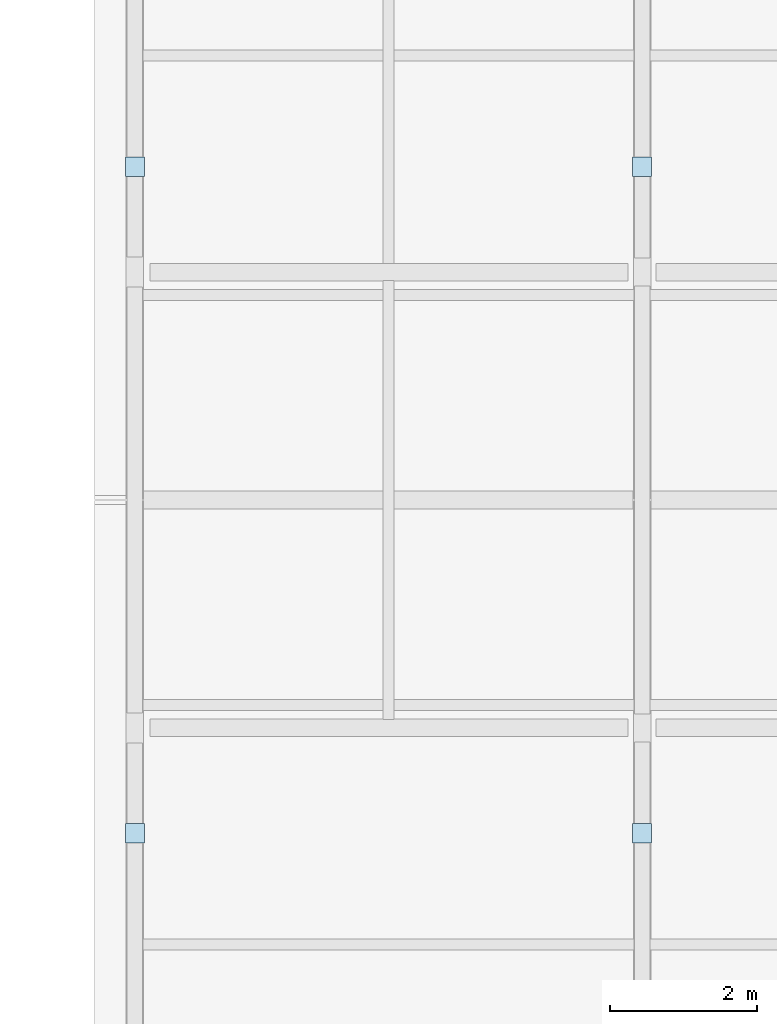
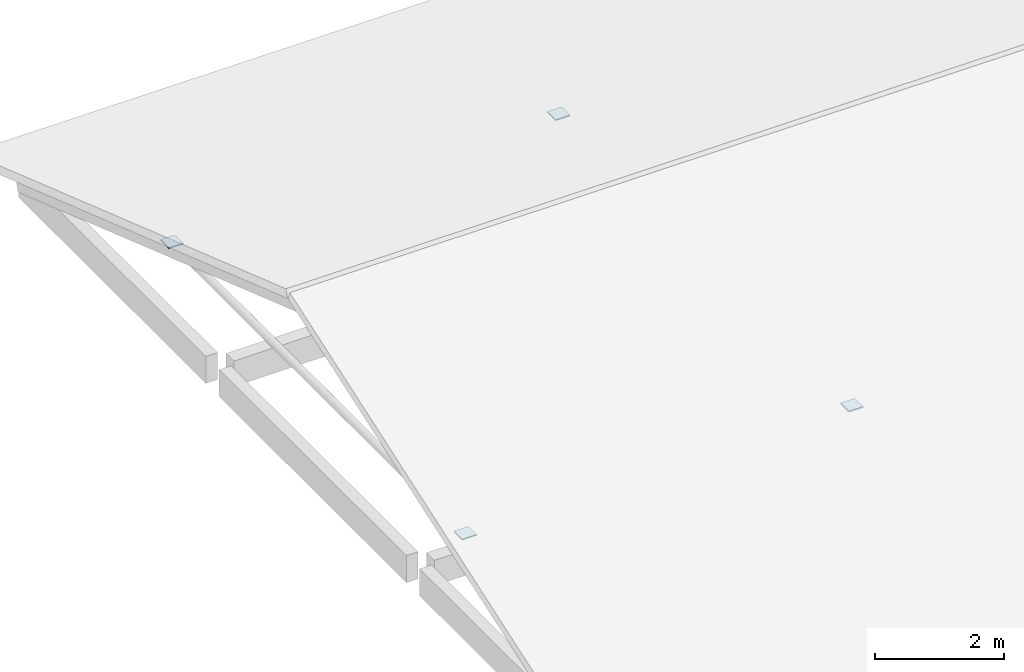
# One storey, part 47 of 66: 4 plates.
"""IFC4 building model written with IfcOpenShell, lengths in metres."""

from ifc_helpers import new_model, si_unit, direction, frame, origin, origin_2d, place, context, subcontext, project, spatial, rectangle, extrude, material, layer, layer_set, type_object, element, save


model = new_model("IFC4")

# Units and contexts
model_context = context("Model", 3, precision=1e-05, world=origin(), true_north=direction((0.0, 1.0)))
body_context = subcontext(model_context, "Body", "Model", "MODEL_VIEW")
ifc_project = project(units=[si_unit("LENGTHUNIT", "METRE"), si_unit("AREAUNIT", "SQUARE_METRE"), si_unit("VOLUMEUNIT", "CUBIC_METRE"), si_unit("PLANEANGLEUNIT", "RADIAN"), si_unit("MASSUNIT", "GRAM", prefix="KILO")], contexts=[model_context])

# Site, building, storey
site_placement = place(None, origin())
site = spatial("IfcSite", under=ifc_project, at=site_placement, CompositionType="ELEMENT")
building_placement = place(site_placement, origin())
building = spatial("IfcBuilding", under=site, at=building_placement, Name="Caldaven Crescent School", CompositionType="ELEMENT")
storey_placement = place(building_placement, frame((0.0, 0.0, 8.159912109375)))
storey = spatial("IfcBuildingStorey", under=building, at=storey_placement, Name="L02", CompositionType="ELEMENT", Elevation=8.159912109375)

# Plates
ifc_material = material(Name="Steel ASTM A572 Grade 50", Category="steel")
ifc_layer = layer(ifc_material, 0.02001953125)
ifc_layer_set = layer_set([ifc_layer], Name="Steel ASTM A572 Grade 50")
plate_type = type_object("IfcPlateType", Name="PLT-CAP20", PredefinedType="USERDEFINED", material=ifc_layer_set)
for number, where, z_axis, x_axis, name in (
    (1, (122.89990234375, 8.966064453125, 1.150146484375), (0.0, 0.0, 1.0), (0.0, 1.0, 0.0), "PLT-CAP-0169-A"),
    (2, (122.89990234375, 18.033935546875, 1.150146484375), (0.0, 0.0, 1.0), (0.0, 1.0, 0.0), "PLT-CAP-0170-B"),
    (3, (129.800048828125, 8.966064453125, 1.150146484375), (0.0, 0.0, 1.0), (0.0, 1.0, 0.0), "PLT-CAP-0171-A"),
    (4, (129.800048828125, 18.033935546875, 1.150146484375), (0.0, 0.0, 1.0), (0.0, 1.0, 0.0), "PLT-CAP-0172-B"),
):
    element("IfcPlate", number, at=place(storey_placement, frame(where, z_axis=z_axis, x_axis=x_axis)), inside=storey, type_object=plate_type, Name=name, ObjectType="CAP_PLATE", PredefinedType="USERDEFINED", context=body_context, shape_type="SweptSolid", body=[
        extrude(rectangle(XDim=0.260009765625, YDim=0.260009765625, at=origin_2d()), origin(), (0.0, 0.0, 1.0), 0.02001953125),
    ])

save(model, "model.ifc")
